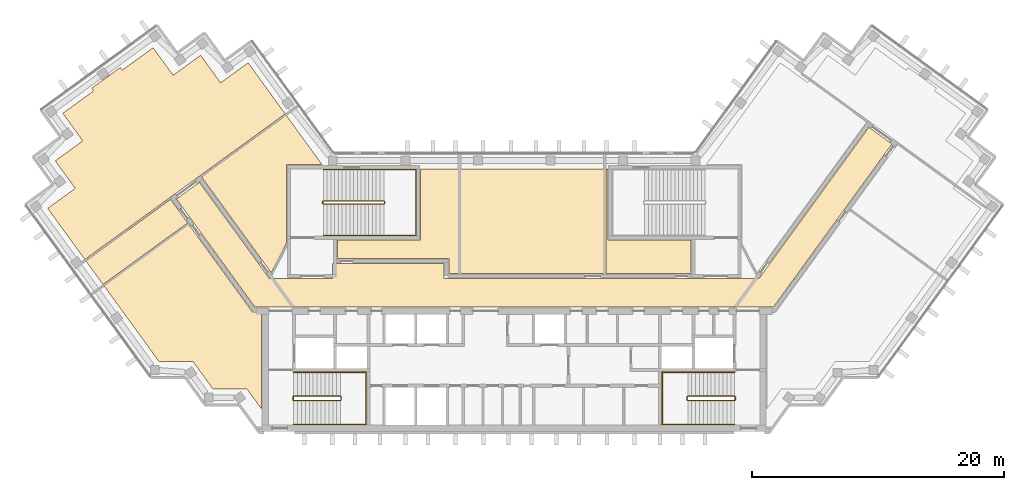
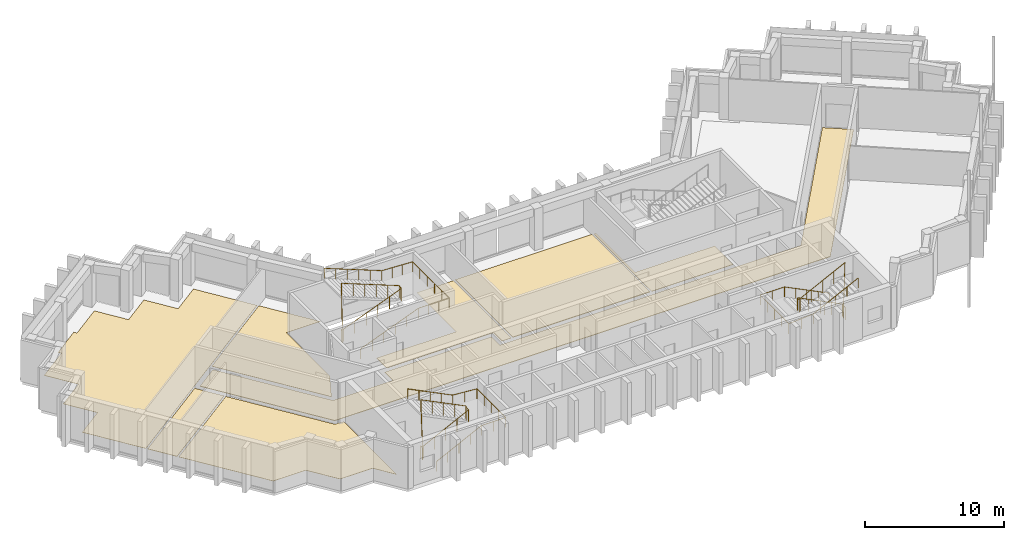
# One storey, part 9 of 10: 8 coverings, 6 railings.
"""IFC4 building model written with IfcOpenShell, lengths in metres."""

from ifc_helpers import new_model, si_unit, direction, frame, origin, origin_2d, place, context, subcontext, project, spatial, polyline, circle, outline, extrude, material, layer, layer_set, type_object, element, save


model = new_model("IFC4")

# Units and contexts
model_context = context("Model", 3, precision=1e-05, world=origin(), true_north=direction((0.0, 1.0)))
body_context = subcontext(model_context, "Body", "Model", "MODEL_VIEW")
ifc_project = project(units=[si_unit("LENGTHUNIT", "METRE"), si_unit("AREAUNIT", "SQUARE_METRE"), si_unit("VOLUMEUNIT", "CUBIC_METRE"), si_unit("PLANEANGLEUNIT", "RADIAN"), si_unit("MASSUNIT", "GRAM", prefix="KILO")], contexts=[model_context])

# Site, building, storey
site_placement = place(None, origin())
site = spatial("IfcSite", under=ifc_project, at=site_placement, CompositionType="ELEMENT")
building_placement = place(site_placement, origin())
building = spatial("IfcBuilding", under=site, at=building_placement, Name="Quipu Civic Tower", CompositionType="ELEMENT")
storey_placement = place(building_placement, frame((0.0, 0.0, 327.0)))
storey = spatial("IfcBuildingStorey", under=building, at=storey_placement, Name="L76", CompositionType="ELEMENT", Elevation=327.0)

# Coverings
ifc_material_1 = material(Name="Carpet tile on raised access floor")
ifc_layer_1 = layer(ifc_material_1, 0.02001953125)
ifc_layer_set_1 = layer_set([ifc_layer_1], Name="Carpet tile on raised access floor")
covering_type_1 = type_object("IfcCoveringType", Name="Carpet tile floor finish 20", PredefinedType="FLOORING", material=ifc_layer_set_1)
covering_1_placement = place(storey_placement, origin())
element("IfcCovering", 1, at=covering_1_placement, inside=storey, type_object=covering_type_1, Name="Carpet tile floor finish 20", PredefinedType="FLOORING", context=body_context, shape_type="SweptSolid", body=[
    extrude(outline(polyline([(-14.030029296875, 2.719970703125), (-14.030029296875, 4.179931640625), (-7.430908203125, 4.179931640625), (-7.429931640625, 9.830078125), (-4.388916015625, 9.830078125), (-4.388916015625, 1.52001953125), (-5.179931640625, 1.52001953125), (-5.181884765625, 2.719970703125), (-14.030029296875, 2.719970703125)])), origin(), (0.0, 0.0, 1.0), 0.02001953125),
])
covering_2_placement = place(storey_placement, origin())
element("IfcCovering", 2, at=covering_2_placement, inside=storey, type_object=covering_type_1, Name="Carpet tile floor finish 20", PredefinedType="FLOORING", context=body_context, shape_type="SweptSolid", body=[
    extrude(outline(polyline([(-24.81201171875, 9.2109375), (-18.089111328125, 14.093994140625), (-15.238037109375, 10.169921875), (-18.070068359375, 10.1689453125), (-18.070068359375, 3.94189453125), (-19.27197265625, 1.583984375), (-24.81201171875, 9.2109375)])), origin(), (0.0, 0.0, 1.0), 0.02001953125),
])
covering_3_placement = place(storey_placement, origin())
element("IfcCovering", 3, at=covering_3_placement, inside=storey, type_object=covering_type_1, Name="Carpet tile floor finish 20", PredefinedType="FLOORING", context=body_context, shape_type="SweptSolid", body=[
    extrude(outline(polyline([(-32.552001953125, 0.552978515625), (-25.8291015625, 5.43701171875), (-20.77490234375, -1.51904296875), (-20.070068359375, -1.52001953125), (-20.070068359375, -9.195068359375), (-21.196044921875, -7.64599609375), (-23.89501953125, -7.64599609375), (-25.48193359375, -5.4619140625), (-28.181884765625, -5.4609375), (-32.552001953125, 0.552978515625)])), origin(), (0.0, 0.0, 1.0), 0.02001953125),
])
covering_4_placement = place(storey_placement, origin())
element("IfcCovering", 4, at=covering_4_placement, inside=storey, type_object=covering_type_1, Name="Carpet tile floor finish 20", PredefinedType="FLOORING", context=body_context, shape_type="SweptSolid", body=[
    extrude(outline(polyline([(-37.02197265625, 6.7060546875), (-34.839111328125, 8.291015625), (-36.425048828125, 10.47607421875), (-34.240966796875, 12.06396484375), (-35.826904296875, 14.248046875), (-33.3701171875, 16.032958984375), (-33.52197265625, 16.2451171875), (-31.27099609375, 17.8798828125), (-31.116943359375, 17.6708984375), (-28.658935546875, 19.455078125), (-27.073974609375, 17.27197265625), (-24.887939453125, 18.85791015625), (-23.301025390625, 16.675048828125), (-21.116943359375, 18.260986328125), (-18.172119140625, 14.20703125), (-34.077880859375, 2.652099609375), (-37.02197265625, 6.7060546875)])), origin(), (0.0, 0.0, 1.0), 0.02001953125),
])
ifc_material_2 = material(Name="Ceramic floor tile")
ifc_layer_2 = layer(ifc_material_2, 0.030029296875)
ifc_layer_set_2 = layer_set([ifc_layer_2], Name="Ceramic floor tile")
covering_type_2 = type_object("IfcCoveringType", Name="Ceramic tile floor finish 30", PredefinedType="FLOORING", material=ifc_layer_set_2)
covering_5_placement = place(storey_placement, origin())
element("IfcCovering", 5, at=covering_5_placement, inside=storey, type_object=covering_type_2, Name="Ceramic tile floor finish 30", PredefinedType="FLOORING", context=body_context, shape_type="SweptSolid", body=[
    extrude(outline(polyline([(7.26806640625, 1.52001953125), (7.26806640625, 9.830078125), (7.429931640625, 9.830078125), (7.429931640625, 4.180908203125), (14.030029296875, 4.179931640625), (14.030029296875, 1.52001953125), (7.26806640625, 1.52001953125)])), origin(), (0.0, 0.0, 1.0), 0.030029296875),
])
covering_6_placement = place(storey_placement, origin())
element("IfcCovering", 6, at=covering_6_placement, inside=storey, type_object=covering_type_2, Name="Ceramic tile floor finish 30", PredefinedType="FLOORING", context=body_context, shape_type="SweptSolid", body=[
    extrude(outline(polyline([(-33.9951171875, 2.5390625), (-27.27197265625, 7.423095703125), (-25.912109375, 5.550048828125), (-32.635009765625, 0.666015625), (-33.9951171875, 2.5390625)])), origin(), (0.0, 0.0, 1.0), 0.030029296875),
])
ifc_material_3 = material(Name="Sealed cement screed")
ifc_layer_3 = layer(ifc_material_3, 0.050048828125)
ifc_layer_set_3 = layer_set([ifc_layer_3], Name="Sealed cement screed")
covering_type_3 = type_object("IfcCoveringType", Name="Sealed screed floor finish 50", PredefinedType="FLOORING", material=ifc_layer_set_3)
covering_7_placement = place(storey_placement, origin())
element("IfcCovering", 7, at=covering_7_placement, inside=storey, type_object=covering_type_3, Name="Sealed screed floor finish 50", PredefinedType="FLOORING", context=body_context, shape_type="SweptSolid", body=[
    extrude(outline(polyline([(-4.2490234375, 1.52001953125), (-4.2490234375, 9.830078125), (7.1279296875, 9.830078125), (7.1279296875, 1.52001953125), (-4.2490234375, 1.52001953125)])), origin(), (0.0, 0.0, 1.0), 0.050048828125),
])

# Railings
ifc_material_4 = material(Name="Stainless steel", Category="steel")
railing_type_1 = type_object("IfcRailingType", Name="Stair guard 1100", PredefinedType="GUARDRAIL", material=ifc_material_4)
railing_1_placement = place(storey_placement, frame((-17.5, -8.550048828125, 0.15380859375)))
element("IfcRailing", 8, at=railing_1_placement, inside=storey, type_object=railing_type_1, Name="Stair 1 guard", PredefinedType="GUARDRAIL", context=body_context, shape_type="SweptSolid", body=[
    extrude(circle(Radius=0.02392578125, at=origin_2d()), frame((0.0, 0.0, 1.076171875), z_axis=(0.895751851347, 0.0, 0.444554407028), x_axis=(0.0, 1.0, 0.0)), (0.0, 0.0, 1.0), 4.15283203125),
    extrude(circle(Radius=0.02392578125, at=origin_2d()), frame((3.719970703125, 0.0, 2.92236328125), z_axis=(0.707106781187, 0.707106781187, 0.0), x_axis=(-0.707106781187, 0.707106781187, 0.0)), (0.0, 0.0, 1.0), 0.07080078125),
    extrude(circle(Radius=0.02392578125, at=origin_2d()), frame((3.77001953125, 0.050048828125, 2.92236328125), z_axis=(0.0, 1.0, 0.0), x_axis=(-1.0, 0.0, 0.0)), (0.0, 0.0, 1.0), 0.25),
    extrude(circle(Radius=0.02392578125, at=origin_2d()), frame((3.77001953125, 0.300048828125, 2.92236328125), z_axis=(-0.295599637079, 0.295599637079, 0.908428152975), x_axis=(-0.707106781187, -0.707106781187, 0.0)), (0.0, 0.0, 1.0), 0.16943359375),
    extrude(circle(Radius=0.02392578125, at=origin_2d()), frame((3.719970703125, 0.35009765625, 3.076171875), z_axis=(-0.895751851347, 0.0, 0.444554407028), x_axis=(0.0, -1.0, 0.0)), (0.0, 0.0, 1.0), 4.15283203125),
    extrude(circle(Radius=0.02392578125, at=origin_2d()), frame((0.0, 0.35009765625, 4.92236328125), z_axis=(-0.012476181752, -0.074796231092, -0.997120789425), x_axis=(0.986372223864, -0.164529134168, 0.0)), (0.0, 0.0, 1.0), 4.011474609375),
    extrude(circle(Radius=0.02392578125, at=origin_2d()), frame((-0.050048828125, 0.050048828125, 0.92236328125), z_axis=(0.0, 1.0, 0.0), x_axis=(-1.0, 0.0, 0.0)), (0.0, 0.0, 1.0), 0.25),
    extrude(circle(Radius=0.02099609375, at=origin_2d()), origin(), (0.0, 0.0, 1.0), 1.052001953125),
    extrude(circle(Radius=0.02099609375, at=origin_2d()), frame((0.929931640625, 0.0, 0.46142578125)), (0.0, 0.0, 1.0), 1.052001953125),
    extrude(circle(Radius=0.02099609375, at=origin_2d()), frame((1.85986328125, 0.0, 0.923095703125)), (0.0, 0.0, 1.0), 1.052001953125),
    extrude(circle(Radius=0.02099609375, at=origin_2d()), frame((2.7900390625, 0.0, 1.384765625)), (0.0, 0.0, 1.0), 1.052001953125),
    extrude(circle(Radius=0.02099609375, at=origin_2d()), frame((3.719970703125, 0.0, 1.84619140625)), (0.0, 0.0, 1.0), 1.052001953125),
    extrude(circle(Radius=0.02099609375, at=origin_2d()), frame((3.77001953125, 0.050048828125, 1.84619140625)), (0.0, 0.0, 1.0), 1.052001953125),
    extrude(circle(Radius=0.02099609375, at=origin_2d()), frame((3.77001953125, 0.300048828125, 1.84619140625)), (0.0, 0.0, 1.0), 1.052001953125),
    extrude(circle(Radius=0.02099609375, at=origin_2d()), frame((3.719970703125, 0.35009765625, 2.0)), (0.0, 0.0, 1.0), 1.052001953125),
    extrude(circle(Radius=0.02099609375, at=origin_2d()), frame((2.7900390625, 0.35009765625, 2.46142578125)), (0.0, 0.0, 1.0), 1.052001953125),
    extrude(circle(Radius=0.02099609375, at=origin_2d()), frame((1.85986328125, 0.35009765625, 2.923095703125)), (0.0, 0.0, 1.0), 1.052001953125),
    extrude(circle(Radius=0.02099609375, at=origin_2d()), frame((0.929931640625, 0.35009765625, 3.384765625)), (0.0, 0.0, 1.0), 1.052001953125),
    extrude(circle(Radius=0.02099609375, at=origin_2d()), frame((0.0, 0.35009765625, 3.84619140625)), (0.0, 0.0, 1.0), 1.052001953125),
    extrude(circle(Radius=0.02099609375, at=origin_2d()), frame((-0.012451171875, 0.275146484375, 2.84619140625)), (0.0, 0.0, 1.0), 1.052001953125),
    extrude(circle(Radius=0.02099609375, at=origin_2d()), frame((-0.02490234375, 0.2001953125, 1.84619140625)), (0.0, 0.0, 1.0), 1.052001953125),
    extrude(circle(Radius=0.02099609375, at=origin_2d()), frame((-0.03759765625, 0.125, 0.84619140625)), (0.0, 0.0, 1.0), 1.052001953125),
    extrude(circle(Radius=0.02099609375, at=origin_2d()), frame((-0.050048828125, 0.050048828125, -0.15380859375)), (0.0, 0.0, 1.0), 1.052001953125),
    extrude(circle(Radius=0.02099609375, at=origin_2d()), frame((-0.050048828125, 0.300048828125, -0.15380859375)), (0.0, 0.0, 1.0), 1.052001953125),
])
railing_2_placement = place(storey_placement, frame((17.5, -8.199951171875, 0.15380859375)))
element("IfcRailing", 9, at=railing_2_placement, inside=storey, type_object=railing_type_1, Name="Stair 2 guard", PredefinedType="GUARDRAIL", context=body_context, shape_type="SweptSolid", body=[
    extrude(circle(Radius=0.02392578125, at=origin_2d()), frame((0.0, 0.0, 1.076171875), z_axis=(-0.895751851347, 0.0, 0.444554407028), x_axis=(0.0, -1.0, 0.0)), (0.0, 0.0, 1.0), 4.15283203125),
    extrude(circle(Radius=0.02392578125, at=origin_2d()), frame((-3.719970703125, 0.0, 2.92236328125), z_axis=(-0.707106781187, -0.707106781187, 0.0), x_axis=(0.707106781187, -0.707106781187, 0.0)), (0.0, 0.0, 1.0), 0.07080078125),
    extrude(circle(Radius=0.02392578125, at=origin_2d()), frame((-3.77001953125, -0.050048828125, 2.92236328125), z_axis=(0.0, -1.0, 0.0), x_axis=(1.0, 0.0, 0.0)), (0.0, 0.0, 1.0), 0.25),
    extrude(circle(Radius=0.02392578125, at=origin_2d()), frame((-3.77001953125, -0.300048828125, 2.92236328125), z_axis=(0.295599637079, -0.295599637079, 0.908428152975), x_axis=(0.707106781187, 0.707106781187, 0.0)), (0.0, 0.0, 1.0), 0.16943359375),
    extrude(circle(Radius=0.02392578125, at=origin_2d()), frame((-3.719970703125, -0.35009765625, 3.076171875), z_axis=(0.895751851347, 0.0, 0.444554407028), x_axis=(0.0, 1.0, 0.0)), (0.0, 0.0, 1.0), 4.15283203125),
    extrude(circle(Radius=0.02392578125, at=origin_2d()), frame((0.0, -0.35009765625, 4.92236328125), z_axis=(0.012476181752, 0.074796231092, -0.997120789425), x_axis=(-0.986372223864, 0.164529134168, 0.0)), (0.0, 0.0, 1.0), 4.011474609375),
    extrude(circle(Radius=0.02392578125, at=origin_2d()), frame((0.050048828125, -0.050048828125, 0.92236328125), z_axis=(0.0, -1.0, 0.0), x_axis=(1.0, 0.0, 0.0)), (0.0, 0.0, 1.0), 0.25),
    extrude(circle(Radius=0.02099609375, at=origin_2d()), origin(), (0.0, 0.0, 1.0), 1.052001953125),
    extrude(circle(Radius=0.02099609375, at=origin_2d()), frame((-0.929931640625, 0.0, 0.46142578125)), (0.0, 0.0, 1.0), 1.052001953125),
    extrude(circle(Radius=0.02099609375, at=origin_2d()), frame((-1.85986328125, 0.0, 0.923095703125)), (0.0, 0.0, 1.0), 1.052001953125),
    extrude(circle(Radius=0.02099609375, at=origin_2d()), frame((-2.7900390625, 0.0, 1.384765625)), (0.0, 0.0, 1.0), 1.052001953125),
    extrude(circle(Radius=0.02099609375, at=origin_2d()), frame((-3.719970703125, 0.0, 1.84619140625)), (0.0, 0.0, 1.0), 1.052001953125),
    extrude(circle(Radius=0.02099609375, at=origin_2d()), frame((-3.77001953125, -0.050048828125, 1.84619140625)), (0.0, 0.0, 1.0), 1.052001953125),
    extrude(circle(Radius=0.02099609375, at=origin_2d()), frame((-3.77001953125, -0.300048828125, 1.84619140625)), (0.0, 0.0, 1.0), 1.052001953125),
    extrude(circle(Radius=0.02099609375, at=origin_2d()), frame((-3.719970703125, -0.35009765625, 2.0)), (0.0, 0.0, 1.0), 1.052001953125),
    extrude(circle(Radius=0.02099609375, at=origin_2d()), frame((-2.7900390625, -0.35009765625, 2.46142578125)), (0.0, 0.0, 1.0), 1.052001953125),
    extrude(circle(Radius=0.02099609375, at=origin_2d()), frame((-1.85986328125, -0.35009765625, 2.923095703125)), (0.0, 0.0, 1.0), 1.052001953125),
    extrude(circle(Radius=0.02099609375, at=origin_2d()), frame((-0.929931640625, -0.35009765625, 3.384765625)), (0.0, 0.0, 1.0), 1.052001953125),
    extrude(circle(Radius=0.02099609375, at=origin_2d()), frame((0.0, -0.35009765625, 3.84619140625)), (0.0, 0.0, 1.0), 1.052001953125),
    extrude(circle(Radius=0.02099609375, at=origin_2d()), frame((0.012451171875, -0.275146484375, 2.84619140625)), (0.0, 0.0, 1.0), 1.052001953125),
    extrude(circle(Radius=0.02099609375, at=origin_2d()), frame((0.02490234375, -0.2001953125, 1.84619140625)), (0.0, 0.0, 1.0), 1.052001953125),
    extrude(circle(Radius=0.02099609375, at=origin_2d()), frame((0.03759765625, -0.125, 0.84619140625)), (0.0, 0.0, 1.0), 1.052001953125),
    extrude(circle(Radius=0.02099609375, at=origin_2d()), frame((0.050048828125, -0.050048828125, -0.15380859375)), (0.0, 0.0, 1.0), 1.052001953125),
    extrude(circle(Radius=0.02099609375, at=origin_2d()), frame((0.050048828125, -0.300048828125, -0.15380859375)), (0.0, 0.0, 1.0), 1.052001953125),
])
railing_3_placement = place(storey_placement, frame((-15.14990234375, 7.050048828125, 0.11767578125)))
element("IfcRailing", 10, at=railing_3_placement, inside=storey, type_object=railing_type_1, Name="Stair 3 guard", PredefinedType="GUARDRAIL", context=body_context, shape_type="SweptSolid", body=[
    extrude(circle(Radius=0.02392578125, at=origin_2d()), frame((0.0, 0.0, 1.076171875), z_axis=(0.930970042603, 0.0, 0.365095576219), x_axis=(0.0, 1.0, 0.0)), (0.0, 0.0, 1.0), 5.15576171875),
    extrude(circle(Radius=0.02392578125, at=origin_2d()), frame((4.7998046875, 0.0, 2.95849609375), z_axis=(0.707106781187, 0.707106781187, 0.0), x_axis=(-0.707106781187, 0.707106781187, 0.0)), (0.0, 0.0, 1.0), 0.07080078125),
    extrude(circle(Radius=0.02392578125, at=origin_2d()), frame((4.849853515625, 0.050048828125, 2.95849609375), z_axis=(0.0, 1.0, 0.0), x_axis=(-1.0, 0.0, 0.0)), (0.0, 0.0, 1.0), 0.14990234375),
    extrude(circle(Radius=0.02392578125, at=origin_2d()), frame((4.849853515625, 0.199951171875, 2.95849609375), z_axis=(-0.364463019033, 0.364463019033, 0.856932561824), x_axis=(-0.707106781187, -0.707106781187, 0.0)), (0.0, 0.0, 1.0), 0.13720703125),
    extrude(circle(Radius=0.02392578125, at=origin_2d()), frame((4.7998046875, 0.25, 3.076171875), z_axis=(-0.930970042603, 0.0, 0.365095576219), x_axis=(0.0, -1.0, 0.0)), (0.0, 0.0, 1.0), 5.15576171875),
    extrude(circle(Radius=0.02392578125, at=origin_2d()), frame((0.0, 0.25, 4.95849609375), z_axis=(-0.012495627992, -0.049921557685, -0.998674970829), x_axis=(0.970072785993, -0.242814311512, 0.0)), (0.0, 0.0, 1.0), 4.00537109375),
    extrude(circle(Radius=0.02392578125, at=origin_2d()), frame((-0.050048828125, 0.050048828125, 0.95849609375), z_axis=(0.0, 1.0, 0.0), x_axis=(-1.0, 0.0, 0.0)), (0.0, 0.0, 1.0), 0.14990234375),
    extrude(circle(Radius=0.02099609375, at=origin_2d()), origin(), (0.0, 0.0, 1.0), 1.052001953125),
    extrude(circle(Radius=0.02099609375, at=origin_2d()), frame((0.9599609375, 0.0, 0.37646484375)), (0.0, 0.0, 1.0), 1.052001953125),
    extrude(circle(Radius=0.02099609375, at=origin_2d()), frame((1.919921875, 0.0, 0.7529296875)), (0.0, 0.0, 1.0), 1.052001953125),
    extrude(circle(Radius=0.02099609375, at=origin_2d()), frame((2.8798828125, 0.0, 1.12939453125)), (0.0, 0.0, 1.0), 1.052001953125),
    extrude(circle(Radius=0.02099609375, at=origin_2d()), frame((3.83984375, 0.0, 1.505859375)), (0.0, 0.0, 1.0), 1.052001953125),
    extrude(circle(Radius=0.02099609375, at=origin_2d()), frame((4.7998046875, 0.0, 1.88232421875)), (0.0, 0.0, 1.0), 1.052001953125),
    extrude(circle(Radius=0.02099609375, at=origin_2d()), frame((4.849853515625, 0.050048828125, 1.88232421875)), (0.0, 0.0, 1.0), 1.052001953125),
    extrude(circle(Radius=0.02099609375, at=origin_2d()), frame((4.849853515625, 0.199951171875, 1.88232421875)), (0.0, 0.0, 1.0), 1.052001953125),
    extrude(circle(Radius=0.02099609375, at=origin_2d()), frame((4.7998046875, 0.25, 2.0)), (0.0, 0.0, 1.0), 1.052001953125),
    extrude(circle(Radius=0.02099609375, at=origin_2d()), frame((3.83984375, 0.25, 2.37646484375)), (0.0, 0.0, 1.0), 1.052001953125),
    extrude(circle(Radius=0.02099609375, at=origin_2d()), frame((2.8798828125, 0.25, 2.7529296875)), (0.0, 0.0, 1.0), 1.052001953125),
    extrude(circle(Radius=0.02099609375, at=origin_2d()), frame((1.919921875, 0.25, 3.12939453125)), (0.0, 0.0, 1.0), 1.052001953125),
    extrude(circle(Radius=0.02099609375, at=origin_2d()), frame((0.9599609375, 0.25, 3.505859375)), (0.0, 0.0, 1.0), 1.052001953125),
    extrude(circle(Radius=0.02099609375, at=origin_2d()), frame((0.0, 0.25, 3.88232421875)), (0.0, 0.0, 1.0), 1.052001953125),
    extrude(circle(Radius=0.02099609375, at=origin_2d()), frame((-0.012451171875, 0.199951171875, 2.88232421875)), (0.0, 0.0, 1.0), 1.052001953125),
    extrude(circle(Radius=0.02099609375, at=origin_2d()), frame((-0.02490234375, 0.14990234375, 1.88232421875)), (0.0, 0.0, 1.0), 1.052001953125),
    extrude(circle(Radius=0.02099609375, at=origin_2d()), frame((-0.03759765625, 0.10009765625, 0.88232421875)), (0.0, 0.0, 1.0), 1.052001953125),
    extrude(circle(Radius=0.02099609375, at=origin_2d()), frame((-0.050048828125, 0.050048828125, -0.11767578125)), (0.0, 0.0, 1.0), 1.052001953125),
    extrude(circle(Radius=0.02099609375, at=origin_2d()), frame((-0.050048828125, 0.199951171875, -0.11767578125)), (0.0, 0.0, 1.0), 1.052001953125),
])
ifc_material_5 = material(Name="Stainless steel", Category="steel")
railing_type_2 = type_object("IfcRailingType", Name="Stair handrail", PredefinedType="HANDRAIL", material=ifc_material_5)
railing_4_placement = place(storey_placement, frame((-17.5, -10.449951171875, 0.15380859375)))
element("IfcRailing", 11, at=railing_4_placement, inside=storey, type_object=railing_type_2, Name="Stair 1 handrail", PredefinedType="HANDRAIL", context=body_context, shape_type="SweptSolid", body=[
    extrude(circle(Radius=0.02392578125, at=origin_2d()), frame((0.0, 0.0, 0.8759765625), z_axis=(0.895751851347, 0.0, 0.444554407028), x_axis=(0.0, 1.0, 0.0)), (0.0, 0.0, 1.0), 4.15283203125),
    extrude(circle(Radius=0.02392578125, at=origin_2d()), frame((3.719970703125, 0.0, 2.72216796875), z_axis=(1.0, 0.0, 0.0), x_axis=(0.0, 1.0, 0.0)), (0.0, 0.0, 1.0), 2.030029296875),
    extrude(circle(Radius=0.02392578125, at=origin_2d()), frame((5.75, 0.0, 2.72216796875), z_axis=(0.0, 1.0, 0.0), x_axis=(-1.0, 0.0, 0.0)), (0.0, 0.0, 1.0), 4.14990234375),
    extrude(circle(Radius=0.02392578125, at=origin_2d()), frame((5.75, 4.14990234375, 2.72216796875), z_axis=(-0.997142003663, 0.0, 0.075550145798), x_axis=(0.0, -1.0, 0.0)), (0.0, 0.0, 1.0), 2.035888671875),
    extrude(circle(Radius=0.02392578125, at=origin_2d()), frame((3.719970703125, 4.14990234375, 2.8759765625), z_axis=(-0.895751851347, 0.0, 0.444554407028), x_axis=(0.0, -1.0, 0.0)), (0.0, 0.0, 1.0), 4.15283203125),
    extrude(circle(Radius=0.02099609375, at=origin_2d()), origin(), (0.0, 0.0, 1.0), 0.851806640625),
    extrude(circle(Radius=0.02099609375, at=origin_2d()), frame((0.929931640625, 0.0, 0.46142578125)), (0.0, 0.0, 1.0), 0.851806640625),
    extrude(circle(Radius=0.02099609375, at=origin_2d()), frame((1.85986328125, 0.0, 0.923095703125)), (0.0, 0.0, 1.0), 0.851806640625),
    extrude(circle(Radius=0.02099609375, at=origin_2d()), frame((2.7900390625, 0.0, 1.384765625)), (0.0, 0.0, 1.0), 0.851806640625),
    extrude(circle(Radius=0.02099609375, at=origin_2d()), frame((3.719970703125, 0.0, 1.84619140625)), (0.0, 0.0, 1.0), 0.851806640625),
    extrude(circle(Radius=0.02099609375, at=origin_2d()), frame((4.73486328125, 0.0, 1.84619140625)), (0.0, 0.0, 1.0), 0.851806640625),
    extrude(circle(Radius=0.02099609375, at=origin_2d()), frame((5.75, 0.0, 1.84619140625)), (0.0, 0.0, 1.0), 0.851806640625),
    extrude(circle(Radius=0.02099609375, at=origin_2d()), frame((5.75, 1.03759765625, 1.84619140625)), (0.0, 0.0, 1.0), 0.851806640625),
    extrude(circle(Radius=0.02099609375, at=origin_2d()), frame((5.75, 2.074951171875, 1.84619140625)), (0.0, 0.0, 1.0), 0.851806640625),
    extrude(circle(Radius=0.02099609375, at=origin_2d()), frame((5.75, 3.1123046875, 1.84619140625)), (0.0, 0.0, 1.0), 0.851806640625),
    extrude(circle(Radius=0.02099609375, at=origin_2d()), frame((5.75, 4.14990234375, 1.84619140625)), (0.0, 0.0, 1.0), 0.851806640625),
    extrude(circle(Radius=0.02099609375, at=origin_2d()), frame((4.73486328125, 4.14990234375, 1.923095703125)), (0.0, 0.0, 1.0), 0.851806640625),
    extrude(circle(Radius=0.02099609375, at=origin_2d()), frame((3.719970703125, 4.14990234375, 2.0)), (0.0, 0.0, 1.0), 0.851806640625),
    extrude(circle(Radius=0.02099609375, at=origin_2d()), frame((2.7900390625, 4.14990234375, 2.46142578125)), (0.0, 0.0, 1.0), 0.851806640625),
    extrude(circle(Radius=0.02099609375, at=origin_2d()), frame((1.85986328125, 4.14990234375, 2.923095703125)), (0.0, 0.0, 1.0), 0.851806640625),
    extrude(circle(Radius=0.02099609375, at=origin_2d()), frame((0.929931640625, 4.14990234375, 3.384765625)), (0.0, 0.0, 1.0), 0.851806640625),
    extrude(circle(Radius=0.02099609375, at=origin_2d()), frame((0.0, 4.14990234375, 3.84619140625)), (0.0, 0.0, 1.0), 0.851806640625),
])
railing_5_placement = place(storey_placement, frame((17.5, -6.300048828125, 0.15380859375)))
element("IfcRailing", 12, at=railing_5_placement, inside=storey, type_object=railing_type_2, Name="Stair 2 handrail", PredefinedType="HANDRAIL", context=body_context, shape_type="SweptSolid", body=[
    extrude(circle(Radius=0.02392578125, at=origin_2d()), frame((0.0, 0.0, 0.8759765625), z_axis=(-0.895751851347, 0.0, 0.444554407028), x_axis=(0.0, -1.0, 0.0)), (0.0, 0.0, 1.0), 4.15283203125),
    extrude(circle(Radius=0.02392578125, at=origin_2d()), frame((-3.719970703125, 0.0, 2.72216796875), z_axis=(-1.0, 0.0, 0.0), x_axis=(0.0, -1.0, 0.0)), (0.0, 0.0, 1.0), 2.030029296875),
    extrude(circle(Radius=0.02392578125, at=origin_2d()), frame((-5.75, 0.0, 2.72216796875), z_axis=(0.0, -1.0, 0.0), x_axis=(1.0, 0.0, 0.0)), (0.0, 0.0, 1.0), 4.14990234375),
    extrude(circle(Radius=0.02392578125, at=origin_2d()), frame((-5.75, -4.14990234375, 2.72216796875), z_axis=(0.997142003663, 0.0, 0.075550145798), x_axis=(0.0, 1.0, 0.0)), (0.0, 0.0, 1.0), 2.035888671875),
    extrude(circle(Radius=0.02392578125, at=origin_2d()), frame((-3.719970703125, -4.14990234375, 2.8759765625), z_axis=(0.895751851347, 0.0, 0.444554407028), x_axis=(0.0, 1.0, 0.0)), (0.0, 0.0, 1.0), 4.15283203125),
    extrude(circle(Radius=0.02099609375, at=origin_2d()), origin(), (0.0, 0.0, 1.0), 0.851806640625),
    extrude(circle(Radius=0.02099609375, at=origin_2d()), frame((-0.929931640625, 0.0, 0.46142578125)), (0.0, 0.0, 1.0), 0.851806640625),
    extrude(circle(Radius=0.02099609375, at=origin_2d()), frame((-1.85986328125, 0.0, 0.923095703125)), (0.0, 0.0, 1.0), 0.851806640625),
    extrude(circle(Radius=0.02099609375, at=origin_2d()), frame((-2.7900390625, 0.0, 1.384765625)), (0.0, 0.0, 1.0), 0.851806640625),
    extrude(circle(Radius=0.02099609375, at=origin_2d()), frame((-3.719970703125, 0.0, 1.84619140625)), (0.0, 0.0, 1.0), 0.851806640625),
    extrude(circle(Radius=0.02099609375, at=origin_2d()), frame((-4.73486328125, 0.0, 1.84619140625)), (0.0, 0.0, 1.0), 0.851806640625),
    extrude(circle(Radius=0.02099609375, at=origin_2d()), frame((-5.75, 0.0, 1.84619140625)), (0.0, 0.0, 1.0), 0.851806640625),
    extrude(circle(Radius=0.02099609375, at=origin_2d()), frame((-5.75, -1.03759765625, 1.84619140625)), (0.0, 0.0, 1.0), 0.851806640625),
    extrude(circle(Radius=0.02099609375, at=origin_2d()), frame((-5.75, -2.074951171875, 1.84619140625)), (0.0, 0.0, 1.0), 0.851806640625),
    extrude(circle(Radius=0.02099609375, at=origin_2d()), frame((-5.75, -3.1123046875, 1.84619140625)), (0.0, 0.0, 1.0), 0.851806640625),
    extrude(circle(Radius=0.02099609375, at=origin_2d()), frame((-5.75, -4.14990234375, 1.84619140625)), (0.0, 0.0, 1.0), 0.851806640625),
    extrude(circle(Radius=0.02099609375, at=origin_2d()), frame((-4.73486328125, -4.14990234375, 1.923095703125)), (0.0, 0.0, 1.0), 0.851806640625),
    extrude(circle(Radius=0.02099609375, at=origin_2d()), frame((-3.719970703125, -4.14990234375, 2.0)), (0.0, 0.0, 1.0), 0.851806640625),
    extrude(circle(Radius=0.02099609375, at=origin_2d()), frame((-2.7900390625, -4.14990234375, 2.46142578125)), (0.0, 0.0, 1.0), 0.851806640625),
    extrude(circle(Radius=0.02099609375, at=origin_2d()), frame((-1.85986328125, -4.14990234375, 2.923095703125)), (0.0, 0.0, 1.0), 0.851806640625),
    extrude(circle(Radius=0.02099609375, at=origin_2d()), frame((-0.929931640625, -4.14990234375, 3.384765625)), (0.0, 0.0, 1.0), 0.851806640625),
    extrude(circle(Radius=0.02099609375, at=origin_2d()), frame((0.0, -4.14990234375, 3.84619140625)), (0.0, 0.0, 1.0), 0.851806640625),
])
railing_6_placement = place(storey_placement, frame((-15.14990234375, 4.550048828125, 0.11767578125)))
element("IfcRailing", 13, at=railing_6_placement, inside=storey, type_object=railing_type_2, Name="Stair 3 handrail", PredefinedType="HANDRAIL", context=body_context, shape_type="SweptSolid", body=[
    extrude(circle(Radius=0.02392578125, at=origin_2d()), frame((0.0, 0.0, 0.8759765625), z_axis=(0.930970042603, 0.0, 0.365095576219), x_axis=(0.0, 1.0, 0.0)), (0.0, 0.0, 1.0), 5.15576171875),
    extrude(circle(Radius=0.02392578125, at=origin_2d()), frame((4.7998046875, 0.0, 2.75830078125), z_axis=(1.0, 0.0, 0.0), x_axis=(0.0, 1.0, 0.0)), (0.0, 0.0, 1.0), 2.550048828125),
    extrude(circle(Radius=0.02392578125, at=origin_2d()), frame((7.349853515625, 0.0, 2.75830078125), z_axis=(0.0, 1.0, 0.0), x_axis=(-1.0, 0.0, 0.0)), (0.0, 0.0, 1.0), 5.25),
    extrude(circle(Radius=0.02392578125, at=origin_2d()), frame((7.349853515625, 5.25, 2.75830078125), z_axis=(-0.998936948642, 0.0, 0.04609742549), x_axis=(0.0, -1.0, 0.0)), (0.0, 0.0, 1.0), 2.552734375),
    extrude(circle(Radius=0.02392578125, at=origin_2d()), frame((4.7998046875, 5.25, 2.8759765625), z_axis=(-0.930970042603, 0.0, 0.365095576219), x_axis=(0.0, -1.0, 0.0)), (0.0, 0.0, 1.0), 5.15576171875),
    extrude(circle(Radius=0.02099609375, at=origin_2d()), origin(), (0.0, 0.0, 1.0), 0.851806640625),
    extrude(circle(Radius=0.02099609375, at=origin_2d()), frame((0.9599609375, 0.0, 0.37646484375)), (0.0, 0.0, 1.0), 0.851806640625),
    extrude(circle(Radius=0.02099609375, at=origin_2d()), frame((1.919921875, 0.0, 0.7529296875)), (0.0, 0.0, 1.0), 0.851806640625),
    extrude(circle(Radius=0.02099609375, at=origin_2d()), frame((2.8798828125, 0.0, 1.12939453125)), (0.0, 0.0, 1.0), 0.851806640625),
    extrude(circle(Radius=0.02099609375, at=origin_2d()), frame((3.83984375, 0.0, 1.505859375)), (0.0, 0.0, 1.0), 0.851806640625),
    extrude(circle(Radius=0.02099609375, at=origin_2d()), frame((4.7998046875, 0.0, 1.88232421875)), (0.0, 0.0, 1.0), 0.851806640625),
    extrude(circle(Radius=0.02099609375, at=origin_2d()), frame((5.64990234375, 0.0, 1.88232421875)), (0.0, 0.0, 1.0), 0.851806640625),
    extrude(circle(Radius=0.02099609375, at=origin_2d()), frame((6.499755859375, 0.0, 1.88232421875)), (0.0, 0.0, 1.0), 0.851806640625),
    extrude(circle(Radius=0.02099609375, at=origin_2d()), frame((7.349853515625, 0.0, 1.88232421875)), (0.0, 0.0, 1.0), 0.851806640625),
    extrude(circle(Radius=0.02099609375, at=origin_2d()), frame((7.349853515625, 1.050048828125, 1.88232421875)), (0.0, 0.0, 1.0), 0.851806640625),
    extrude(circle(Radius=0.02099609375, at=origin_2d()), frame((7.349853515625, 2.10009765625, 1.88232421875)), (0.0, 0.0, 1.0), 0.851806640625),
    extrude(circle(Radius=0.02099609375, at=origin_2d()), frame((7.349853515625, 3.14990234375, 1.88232421875)), (0.0, 0.0, 1.0), 0.851806640625),
    extrude(circle(Radius=0.02099609375, at=origin_2d()), frame((7.349853515625, 4.199951171875, 1.88232421875)), (0.0, 0.0, 1.0), 0.851806640625),
    extrude(circle(Radius=0.02099609375, at=origin_2d()), frame((7.349853515625, 5.25, 1.88232421875)), (0.0, 0.0, 1.0), 0.851806640625),
    extrude(circle(Radius=0.02099609375, at=origin_2d()), frame((6.499755859375, 5.25, 1.921630859375)), (0.0, 0.0, 1.0), 0.851806640625),
    extrude(circle(Radius=0.02099609375, at=origin_2d()), frame((5.64990234375, 5.25, 1.960693359375)), (0.0, 0.0, 1.0), 0.851806640625),
    extrude(circle(Radius=0.02099609375, at=origin_2d()), frame((4.7998046875, 5.25, 2.0)), (0.0, 0.0, 1.0), 0.851806640625),
    extrude(circle(Radius=0.02099609375, at=origin_2d()), frame((3.83984375, 5.25, 2.37646484375)), (0.0, 0.0, 1.0), 0.851806640625),
    extrude(circle(Radius=0.02099609375, at=origin_2d()), frame((2.8798828125, 5.25, 2.7529296875)), (0.0, 0.0, 1.0), 0.851806640625),
    extrude(circle(Radius=0.02099609375, at=origin_2d()), frame((1.919921875, 5.25, 3.12939453125)), (0.0, 0.0, 1.0), 0.851806640625),
    extrude(circle(Radius=0.02099609375, at=origin_2d()), frame((0.9599609375, 5.25, 3.505859375)), (0.0, 0.0, 1.0), 0.851806640625),
    extrude(circle(Radius=0.02099609375, at=origin_2d()), frame((0.0, 5.25, 3.88232421875)), (0.0, 0.0, 1.0), 0.851806640625),
])

# Covering
ifc_material_6 = material(Name="Terrazzo floor finish")
ifc_layer_4 = layer(ifc_material_6, 0.0400390625)
ifc_layer_set_4 = layer_set([ifc_layer_4], Name="Terrazzo floor finish")
covering_type_4 = type_object("IfcCoveringType", Name="Terrazzo floor finish 40", PredefinedType="FLOORING", material=ifc_layer_set_4)
covering_8_placement = place(storey_placement, origin())
element("IfcCovering", 14, at=covering_8_placement, inside=storey, type_object=covering_type_4, Name="Terrazzo floor finish 40", PredefinedType="FLOORING", context=body_context, shape_type="SweptSolid", body=[
    extrude(outline(polyline([(19.425048828125, 1.1298828125), (28.155029296875, 13.14697265625), (29.98291015625, 11.819091796875), (20.574951171875, -1.1298828125), (-20.574951171875, -1.1298828125), (-26.80908203125, 7.450927734375), (-24.98095703125, 8.778076171875), (-19.425048828125, 1.1298828125), (-14.429931640625, 1.1298828125), (-14.429931640625, 2.330078125), (-5.570068359375, 2.330078125), (-5.570068359375, 1.1298828125), (19.425048828125, 1.1298828125)])), origin(), (0.0, 0.0, 1.0), 0.0400390625),
])

save(model, "model.ifc")
